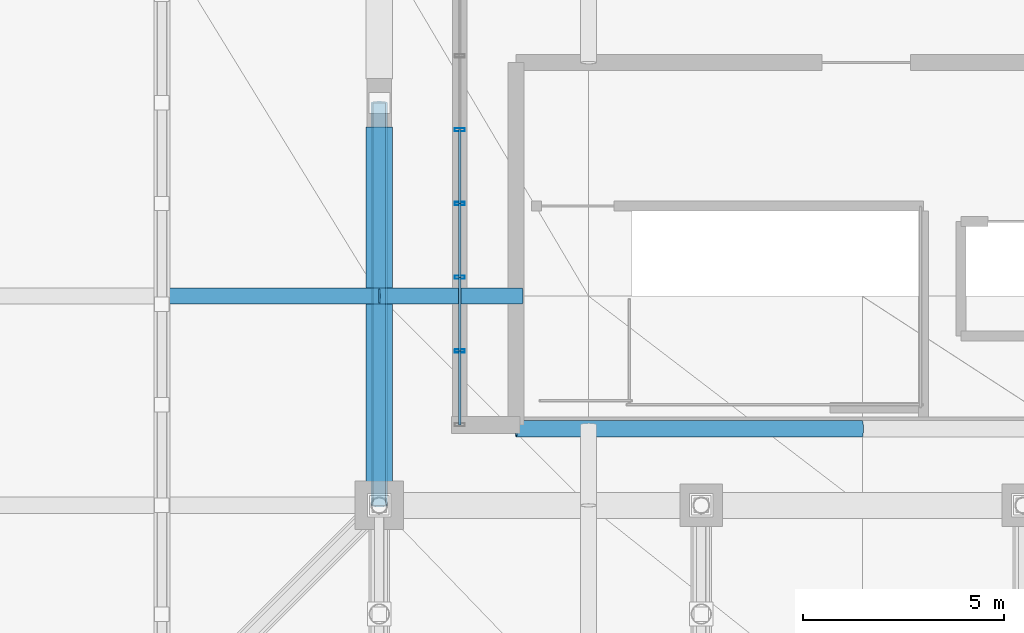
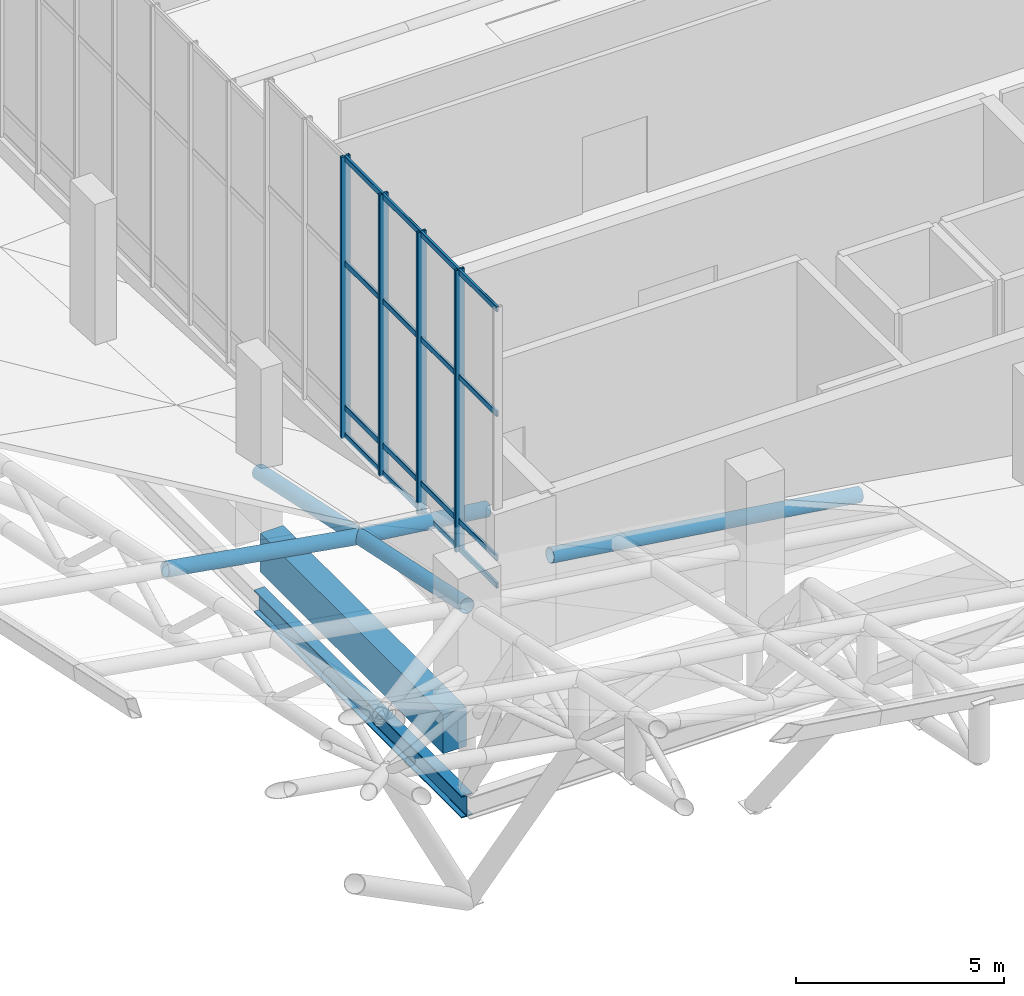
# One storey, part 13 of 137: 24 members, 2 beams, 1 element without a shape of its own.
"""IFC4 building model written with IfcOpenShell, lengths in metres."""

from ifc_helpers import new_model, si_unit, direction, frame, origin, origin_2d, place, context, subcontext, project, spatial, rectangle, hollow_rectangle, hollow_circle, i_section, extrude, material, layer, layer_set, material_profile, profile_set, type_object, element, aggregate, save


model = new_model("IFC4")

# Units and contexts
model_context = context("Model", 3, precision=1e-05, world=origin(), true_north=direction((0.0, 1.0)))
body_context = subcontext(model_context, "Body", "Model", "MODEL_VIEW")
ifc_project = project(units=[si_unit("LENGTHUNIT", "METRE"), si_unit("AREAUNIT", "SQUARE_METRE"), si_unit("VOLUMEUNIT", "CUBIC_METRE"), si_unit("PLANEANGLEUNIT", "RADIAN"), si_unit("MASSUNIT", "GRAM", prefix="KILO")], contexts=[model_context])

# Site, building, storey
site_placement = place(None, origin())
site = spatial("IfcSite", under=ifc_project, at=site_placement, CompositionType="ELEMENT")
building_placement = place(site_placement, origin())
building = spatial("IfcBuilding", under=site, at=building_placement, Name="Khorjan Park Terminus", CompositionType="ELEMENT")
storey_placement = place(building_placement, frame((0.0, 0.0, 11.4)))
storey = spatial("IfcBuildingStorey", under=building, at=storey_placement, Name="L02", CompositionType="ELEMENT", Elevation=11.4)

# Members
ifc_material_1 = material(Name="Steel S355", Category="steel")
ifc_material_profile_1 = material_profile(ifc_material_1, hollow_circle(Radius=0.2032, WallThickness=0.016, at=origin_2d()), Name="CHS 406.4x16")
ifc_profile_set_1 = profile_set([ifc_material_profile_1], Name="Steel S355")
member_type_1 = type_object("IfcMemberType", Name="MB-CH-406", PredefinedType="CHORD", material=ifc_profile_set_1)
member_1_placement = place(storey_placement, frame((48.0, 31.2, 2.3432), z_axis=(0.992379040258, 0.0, -0.123222727027), x_axis=(0.0, 1.0, 0.0)))
element("IfcMember", 1, at=member_1_placement, inside=storey, type_object=member_type_1, Name="Lower wrapping shell rim chord (74)", PredefinedType="CHORD", context=body_context, shape_type="SweptSolid", body=[
    extrude(hollow_circle(Radius=0.2032, WallThickness=0.016, at=origin_2d()), origin(), (0.0, 0.0, 1.0), 3.5773),
])
member_2_placement = place(storey_placement, frame((51.4, 27.9, 2.5945), z_axis=(0.99002785262, 0.0, -0.140871753866), x_axis=(0.0, 1.0, 0.0)))
element("IfcMember", 2, at=member_2_placement, inside=storey, type_object=member_type_1, Name="Lower wrapping shell rim chord (75)", PredefinedType="CHORD", context=body_context, shape_type="SweptSolid", body=[
    extrude(hollow_circle(Radius=0.2032, WallThickness=0.016, at=origin_2d()), origin(), (0.0, 0.0, 1.0), 8.6866),
])
ifc_material_profile_2 = material_profile(ifc_material_1, hollow_circle(Radius=0.2032, WallThickness=0.016, at=origin_2d()), Name="CHS 406.4x16")
ifc_profile_set_2 = profile_set([ifc_material_profile_2], Name="Steel S355")
member_type_2 = type_object("IfcMemberType", Name="MB-CHE-406", PredefinedType="CHORD", material=ifc_profile_set_2)
member_3_placement = place(storey_placement, frame((42.6, 31.2, 3.2593), z_axis=(0.985913104802, 0.0, -0.167258332465), x_axis=(0.0, 1.0, 0.0)))
element("IfcMember", 3, at=member_3_placement, inside=storey, type_object=member_type_2, Name="Lower wrapping shell rim chord (73)", PredefinedType="CHORD", context=body_context, shape_type="SweptSolid", body=[
    extrude(hollow_circle(Radius=0.2032, WallThickness=0.016, at=origin_2d()), origin(), (0.0, 0.0, 1.0), 5.4772),
])
member_4_placement = place(storey_placement, frame((48.0, 26.0, 3.4471), z_axis=(0.0, 0.978200597368, -0.207662204815), x_axis=(-1.0, 0.0, 0.0)))
element("IfcMember", 4, at=member_4_placement, inside=storey, type_object=member_type_2, Name="Lower wrapping shell rim chord (122)", PredefinedType="CHORD", context=body_context, shape_type="SweptSolid", body=[
    extrude(hollow_circle(Radius=0.2032, WallThickness=0.016, at=origin_2d()), origin(), (0.0, 0.0, 1.0), 10.2229),
])

# Curtain wall, members
ifc_material_2 = material(Name="Anodized Bronze Aluminium", Category="aluminium")
ifc_layer = layer(ifc_material_2, 0.22)
ifc_layer_set = layer_set([ifc_layer], Name="Anodized Bronze Aluminium")
curtain_wall_type = type_object("IfcCurtainWallType", Name="CW-CONC-CLR", PredefinedType="NOTDEFINED", material=ifc_layer_set)
curtain_wall_placement = place(storey_placement, origin())
curtain_wall = element("IfcCurtainWall", 5, at=curtain_wall_placement, inside=storey, type_object=curtain_wall_type, Name="Unitized curtain wall CW-CL (CW-V2-W-CLR-01)", PredefinedType="NOTDEFINED")
ifc_material_profile_3 = material_profile(ifc_material_2, hollow_rectangle(XDim=0.08, YDim=0.25, WallThickness=0.005, InnerFilletRadius=0.005, OuterFilletRadius=0.01, at=origin_2d()), Name="ALM 80x250x5")
ifc_profile_set_3 = profile_set([ifc_material_profile_3], Name="Anodized Bronze Aluminium")
member_type_3 = type_object("IfcMemberType", Name="ML-ALM-250", PredefinedType="MULLION", material=ifc_profile_set_3)
member_5_placement = place(storey_placement, frame((50.0, 35.3333, 2.056), z_axis=(0.0, 0.0, 1.0), x_axis=(0.0, -1.0, 0.0)))
member_5 = element("IfcMember", 6, at=member_5_placement, type_object=member_type_3, Name="Curtain-wall mullion ML-25 (CW-V2-W-CLR-01-2)", PredefinedType="MULLION", context=body_context, shape_type="SweptSolid", body=[
    extrude(hollow_rectangle(XDim=0.08, YDim=0.25, WallThickness=0.005, InnerFilletRadius=0.005, OuterFilletRadius=0.01, at=origin_2d()), origin(), (0.0, 0.0, 1.0), 8.2803),
])
member_6_placement = place(storey_placement, frame((50.0, 33.5, 2.056), z_axis=(0.0, 0.0, 1.0), x_axis=(0.0, -1.0, 0.0)))
member_6 = element("IfcMember", 7, at=member_6_placement, type_object=member_type_3, Name="Curtain-wall mullion ML-25 (CW-V2-W-CLR-01-3)", PredefinedType="MULLION", context=body_context, shape_type="SweptSolid", body=[
    extrude(hollow_rectangle(XDim=0.08, YDim=0.25, WallThickness=0.005, InnerFilletRadius=0.005, OuterFilletRadius=0.01, at=origin_2d()), origin(), (0.0, 0.0, 1.0), 8.2803),
])
member_7_placement = place(storey_placement, frame((50.0, 31.6667, 2.056), z_axis=(0.0, 0.0, 1.0), x_axis=(0.0, -1.0, 0.0)))
member_7 = element("IfcMember", 8, at=member_7_placement, type_object=member_type_3, Name="Curtain-wall mullion ML-25 (CW-V2-W-CLR-01-4)", PredefinedType="MULLION", context=body_context, shape_type="SweptSolid", body=[
    extrude(hollow_rectangle(XDim=0.08, YDim=0.25, WallThickness=0.005, InnerFilletRadius=0.005, OuterFilletRadius=0.01, at=origin_2d()), origin(), (0.0, 0.0, 1.0), 8.2803),
])
member_8_placement = place(storey_placement, frame((50.0, 29.8333, 2.056), z_axis=(0.0, 0.0, 1.0), x_axis=(0.0, -1.0, 0.0)))
member_8 = element("IfcMember", 9, at=member_8_placement, type_object=member_type_3, Name="Curtain-wall mullion ML-25 (CW-V2-W-CLR-01-5)", PredefinedType="MULLION", context=body_context, shape_type="SweptSolid", body=[
    extrude(hollow_rectangle(XDim=0.08, YDim=0.25, WallThickness=0.005, InnerFilletRadius=0.005, OuterFilletRadius=0.01, at=origin_2d()), origin(), (0.0, 0.0, 1.0), 8.2803),
])

# Beams
ifc_material_profile_4 = material_profile(ifc_material_1, i_section(OverallWidth=0.3, OverallDepth=0.65, WebThickness=0.016, FlangeThickness=0.031, FilletRadius=0.027, at=origin_2d()), Name="HEB 650")
ifc_profile_set_4 = profile_set([ifc_material_profile_4], Name="Steel S355")
beam_type_1 = type_object("IfcBeamType", Name="SP-HEB650E", PredefinedType="SPANDREL", material=ifc_profile_set_4)
beam_1_placement = place(storey_placement, frame((48.0, 26.0, -2.425), z_axis=(0.0, 1.0, 0.0), x_axis=(-1.0, 0.0, 0.0)))
element("IfcBeam", 10, at=beam_1_placement, inside=storey, type_object=beam_type_1, Name="Lower shell truss support girder SP-E65 (Y32)", PredefinedType="SPANDREL", context=body_context, shape_type="SweptSolid", body=[
    extrude(i_section(OverallWidth=0.3, OverallDepth=0.65, WebThickness=0.016, FlangeThickness=0.031, FilletRadius=0.027, at=origin_2d()), origin(), (0.0, 0.0, 1.0), 10.0),
])
ifc_material_3 = material(Name="Concrete C50/60", Category="concrete")
ifc_material_profile_5 = material_profile(ifc_material_3, rectangle(XDim=0.65, YDim=1.15, at=origin_2d()), Name="RC 650x1150")
ifc_profile_set_5 = profile_set([ifc_material_profile_5], Name="Concrete C50/60")
beam_type_2 = type_object("IfcBeamType", Name="SP-RC650x1150", PredefinedType="SPANDREL", material=ifc_profile_set_5)
beam_2_placement = place(storey_placement, frame((48.0, 26.595, -0.575), z_axis=(0.0, 1.0, 0.0), x_axis=(-1.0, 0.0, 0.0)))
element("IfcBeam", 11, at=beam_2_placement, inside=storey, type_object=beam_type_2, Name="Concourse lower colonnade ring beam SP-11 (L02-59)", PredefinedType="SPANDREL", context=body_context, shape_type="SweptSolid", body=[
    extrude(rectangle(XDim=0.65, YDim=1.15, at=origin_2d()), origin(), (0.0, 0.0, 1.0), 8.81),
])

# Member
ifc_material_profile_6 = material_profile(ifc_material_2, hollow_rectangle(XDim=0.07, YDim=0.16, WallThickness=0.004, InnerFilletRadius=0.004, OuterFilletRadius=0.008, at=origin_2d()), Name="ALT 70x160x4")
ifc_profile_set_6 = profile_set([ifc_material_profile_6], Name="Anodized Bronze Aluminium")
member_type_4 = type_object("IfcMemberType", Name="TR-ALT-160", PredefinedType="USERDEFINED", material=ifc_profile_set_6)
member_9_placement = place(storey_placement, frame((50.0, 35.3333, 2.131), z_axis=(0.0, -1.0, 0.0), x_axis=(1.0, 0.0, 0.0)))
member_9 = element("IfcMember", 12, at=member_9_placement, type_object=member_type_4, Name="Curtain-wall transom TR-16 (CW-V2-W-CLR-01-2-1)", ObjectType="TRANSOM", PredefinedType="USERDEFINED", context=body_context, shape_type="SweptSolid", body=[
    extrude(hollow_rectangle(XDim=0.07, YDim=0.16, WallThickness=0.004, InnerFilletRadius=0.004, OuterFilletRadius=0.008, at=origin_2d()), origin(), (0.0, 0.0, 1.0), 1.8333),
])

member_10_placement = place(storey_placement, frame((50.0, 35.3333, 2.941), z_axis=(0.0, -1.0, 0.0), x_axis=(1.0, 0.0, 0.0)))
member_10 = element("IfcMember", 13, at=member_10_placement, type_object=member_type_4, Name="Curtain-wall transom TR-16 (CW-V2-W-CLR-01-2-2)", ObjectType="TRANSOM", PredefinedType="USERDEFINED", context=body_context, shape_type="SweptSolid", body=[
    extrude(hollow_rectangle(XDim=0.07, YDim=0.16, WallThickness=0.004, InnerFilletRadius=0.004, OuterFilletRadius=0.008, at=origin_2d()), origin(), (0.0, 0.0, 1.0), 1.8333),
])

member_11_placement = place(storey_placement, frame((50.0, 35.3333, 7.1814), z_axis=(0.0, -1.0, 0.0), x_axis=(1.0, 0.0, 0.0)))
member_11 = element("IfcMember", 14, at=member_11_placement, type_object=member_type_4, Name="Curtain-wall transom TR-16 (CW-V2-W-CLR-01-2-3)", ObjectType="TRANSOM", PredefinedType="USERDEFINED", context=body_context, shape_type="SweptSolid", body=[
    extrude(hollow_rectangle(XDim=0.07, YDim=0.16, WallThickness=0.004, InnerFilletRadius=0.004, OuterFilletRadius=0.008, at=origin_2d()), origin(), (0.0, 0.0, 1.0), 1.8333),
])

member_12_placement = place(storey_placement, frame((50.0, 35.3333, 10.2613), z_axis=(0.0, -1.0, 0.0), x_axis=(1.0, 0.0, 0.0)))
member_12 = element("IfcMember", 15, at=member_12_placement, type_object=member_type_4, Name="Curtain-wall transom TR-16 (CW-V2-W-CLR-01-2-4)", ObjectType="TRANSOM", PredefinedType="USERDEFINED", context=body_context, shape_type="SweptSolid", body=[
    extrude(hollow_rectangle(XDim=0.07, YDim=0.16, WallThickness=0.004, InnerFilletRadius=0.004, OuterFilletRadius=0.008, at=origin_2d()), origin(), (0.0, 0.0, 1.0), 1.8333),
])

member_13_placement = place(storey_placement, frame((50.0, 33.5, 2.131), z_axis=(0.0, -1.0, 0.0), x_axis=(1.0, 0.0, 0.0)))
member_13 = element("IfcMember", 16, at=member_13_placement, type_object=member_type_4, Name="Curtain-wall transom TR-16 (CW-V2-W-CLR-01-3-1)", ObjectType="TRANSOM", PredefinedType="USERDEFINED", context=body_context, shape_type="SweptSolid", body=[
    extrude(hollow_rectangle(XDim=0.07, YDim=0.16, WallThickness=0.004, InnerFilletRadius=0.004, OuterFilletRadius=0.008, at=origin_2d()), origin(), (0.0, 0.0, 1.0), 1.8333),
])

member_14_placement = place(storey_placement, frame((50.0, 33.5, 2.941), z_axis=(0.0, -1.0, 0.0), x_axis=(1.0, 0.0, 0.0)))
member_14 = element("IfcMember", 17, at=member_14_placement, type_object=member_type_4, Name="Curtain-wall transom TR-16 (CW-V2-W-CLR-01-3-2)", ObjectType="TRANSOM", PredefinedType="USERDEFINED", context=body_context, shape_type="SweptSolid", body=[
    extrude(hollow_rectangle(XDim=0.07, YDim=0.16, WallThickness=0.004, InnerFilletRadius=0.004, OuterFilletRadius=0.008, at=origin_2d()), origin(), (0.0, 0.0, 1.0), 1.8333),
])

member_15_placement = place(storey_placement, frame((50.0, 33.5, 7.1814), z_axis=(0.0, -1.0, 0.0), x_axis=(1.0, 0.0, 0.0)))
member_15 = element("IfcMember", 18, at=member_15_placement, type_object=member_type_4, Name="Curtain-wall transom TR-16 (CW-V2-W-CLR-01-3-3)", ObjectType="TRANSOM", PredefinedType="USERDEFINED", context=body_context, shape_type="SweptSolid", body=[
    extrude(hollow_rectangle(XDim=0.07, YDim=0.16, WallThickness=0.004, InnerFilletRadius=0.004, OuterFilletRadius=0.008, at=origin_2d()), origin(), (0.0, 0.0, 1.0), 1.8333),
])

member_16_placement = place(storey_placement, frame((50.0, 33.5, 10.2613), z_axis=(0.0, -1.0, 0.0), x_axis=(1.0, 0.0, 0.0)))
member_16 = element("IfcMember", 19, at=member_16_placement, type_object=member_type_4, Name="Curtain-wall transom TR-16 (CW-V2-W-CLR-01-3-4)", ObjectType="TRANSOM", PredefinedType="USERDEFINED", context=body_context, shape_type="SweptSolid", body=[
    extrude(hollow_rectangle(XDim=0.07, YDim=0.16, WallThickness=0.004, InnerFilletRadius=0.004, OuterFilletRadius=0.008, at=origin_2d()), origin(), (0.0, 0.0, 1.0), 1.8333),
])

member_17_placement = place(storey_placement, frame((50.0, 31.6667, 2.131), z_axis=(0.0, -1.0, 0.0), x_axis=(1.0, 0.0, 0.0)))
member_17 = element("IfcMember", 20, at=member_17_placement, type_object=member_type_4, Name="Curtain-wall transom TR-16 (CW-V2-W-CLR-01-4-1)", ObjectType="TRANSOM", PredefinedType="USERDEFINED", context=body_context, shape_type="SweptSolid", body=[
    extrude(hollow_rectangle(XDim=0.07, YDim=0.16, WallThickness=0.004, InnerFilletRadius=0.004, OuterFilletRadius=0.008, at=origin_2d()), origin(), (0.0, 0.0, 1.0), 1.8334),
])

member_18_placement = place(storey_placement, frame((50.0, 31.6667, 2.941), z_axis=(0.0, -1.0, 0.0), x_axis=(1.0, 0.0, 0.0)))
member_18 = element("IfcMember", 21, at=member_18_placement, type_object=member_type_4, Name="Curtain-wall transom TR-16 (CW-V2-W-CLR-01-4-2)", ObjectType="TRANSOM", PredefinedType="USERDEFINED", context=body_context, shape_type="SweptSolid", body=[
    extrude(hollow_rectangle(XDim=0.07, YDim=0.16, WallThickness=0.004, InnerFilletRadius=0.004, OuterFilletRadius=0.008, at=origin_2d()), origin(), (0.0, 0.0, 1.0), 1.8334),
])

member_19_placement = place(storey_placement, frame((50.0, 31.6667, 7.1814), z_axis=(0.0, -1.0, 0.0), x_axis=(1.0, 0.0, 0.0)))
member_19 = element("IfcMember", 22, at=member_19_placement, type_object=member_type_4, Name="Curtain-wall transom TR-16 (CW-V2-W-CLR-01-4-3)", ObjectType="TRANSOM", PredefinedType="USERDEFINED", context=body_context, shape_type="SweptSolid", body=[
    extrude(hollow_rectangle(XDim=0.07, YDim=0.16, WallThickness=0.004, InnerFilletRadius=0.004, OuterFilletRadius=0.008, at=origin_2d()), origin(), (0.0, 0.0, 1.0), 1.8334),
])

member_20_placement = place(storey_placement, frame((50.0, 31.6667, 10.2613), z_axis=(0.0, -1.0, 0.0), x_axis=(1.0, 0.0, 0.0)))
member_20 = element("IfcMember", 23, at=member_20_placement, type_object=member_type_4, Name="Curtain-wall transom TR-16 (CW-V2-W-CLR-01-4-4)", ObjectType="TRANSOM", PredefinedType="USERDEFINED", context=body_context, shape_type="SweptSolid", body=[
    extrude(hollow_rectangle(XDim=0.07, YDim=0.16, WallThickness=0.004, InnerFilletRadius=0.004, OuterFilletRadius=0.008, at=origin_2d()), origin(), (0.0, 0.0, 1.0), 1.8334),
])

member_21_placement = place(storey_placement, frame((50.0, 29.8333, 2.131), z_axis=(0.0, -1.0, 0.0), x_axis=(1.0, 0.0, 0.0)))
member_21 = element("IfcMember", 24, at=member_21_placement, type_object=member_type_4, Name="Curtain-wall transom TR-16 (CW-V2-W-CLR-01-5-1)", ObjectType="TRANSOM", PredefinedType="USERDEFINED", context=body_context, shape_type="SweptSolid", body=[
    extrude(hollow_rectangle(XDim=0.07, YDim=0.16, WallThickness=0.004, InnerFilletRadius=0.004, OuterFilletRadius=0.008, at=origin_2d()), origin(), (0.0, 0.0, 1.0), 1.8333),
])

member_22_placement = place(storey_placement, frame((50.0, 29.8333, 2.941), z_axis=(0.0, -1.0, 0.0), x_axis=(1.0, 0.0, 0.0)))
member_22 = element("IfcMember", 25, at=member_22_placement, type_object=member_type_4, Name="Curtain-wall transom TR-16 (CW-V2-W-CLR-01-5-2)", ObjectType="TRANSOM", PredefinedType="USERDEFINED", context=body_context, shape_type="SweptSolid", body=[
    extrude(hollow_rectangle(XDim=0.07, YDim=0.16, WallThickness=0.004, InnerFilletRadius=0.004, OuterFilletRadius=0.008, at=origin_2d()), origin(), (0.0, 0.0, 1.0), 1.8333),
])

member_23_placement = place(storey_placement, frame((50.0, 29.8333, 7.1814), z_axis=(0.0, -1.0, 0.0), x_axis=(1.0, 0.0, 0.0)))
member_23 = element("IfcMember", 26, at=member_23_placement, type_object=member_type_4, Name="Curtain-wall transom TR-16 (CW-V2-W-CLR-01-5-3)", ObjectType="TRANSOM", PredefinedType="USERDEFINED", context=body_context, shape_type="SweptSolid", body=[
    extrude(hollow_rectangle(XDim=0.07, YDim=0.16, WallThickness=0.004, InnerFilletRadius=0.004, OuterFilletRadius=0.008, at=origin_2d()), origin(), (0.0, 0.0, 1.0), 1.8333),
])

member_24_placement = place(storey_placement, frame((50.0, 29.8333, 10.2613), z_axis=(0.0, -1.0, 0.0), x_axis=(1.0, 0.0, 0.0)))
member_24 = element("IfcMember", 27, at=member_24_placement, type_object=member_type_4, Name="Curtain-wall transom TR-16 (CW-V2-W-CLR-01-5-4)", ObjectType="TRANSOM", PredefinedType="USERDEFINED", context=body_context, shape_type="SweptSolid", body=[
    extrude(hollow_rectangle(XDim=0.07, YDim=0.16, WallThickness=0.004, InnerFilletRadius=0.004, OuterFilletRadius=0.008, at=origin_2d()), origin(), (0.0, 0.0, 1.0), 1.8333),
])

aggregate(curtain_wall, [member_5, member_6, member_7, member_8, member_9, member_10, member_11, member_12, member_13, member_14, member_15, member_16, member_17, member_18, member_19, member_20, member_21, member_22, member_23, member_24])

save(model, "model.ifc")
